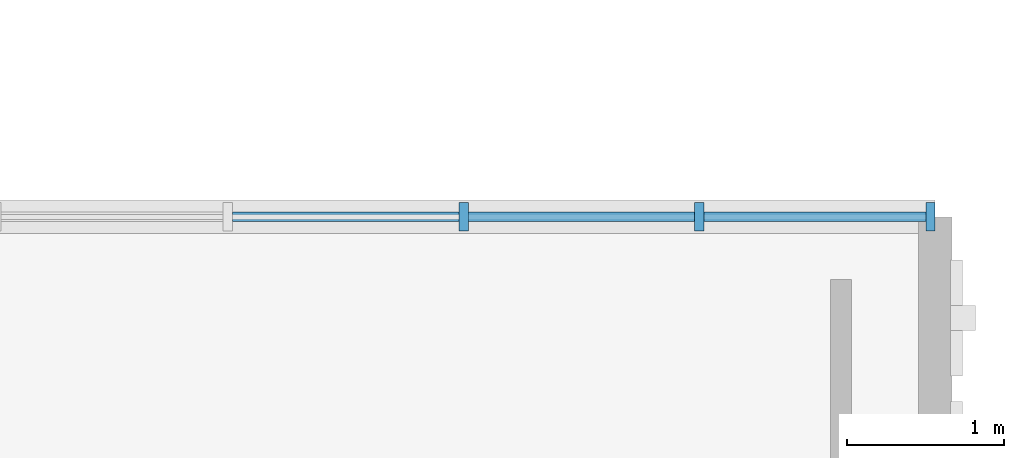
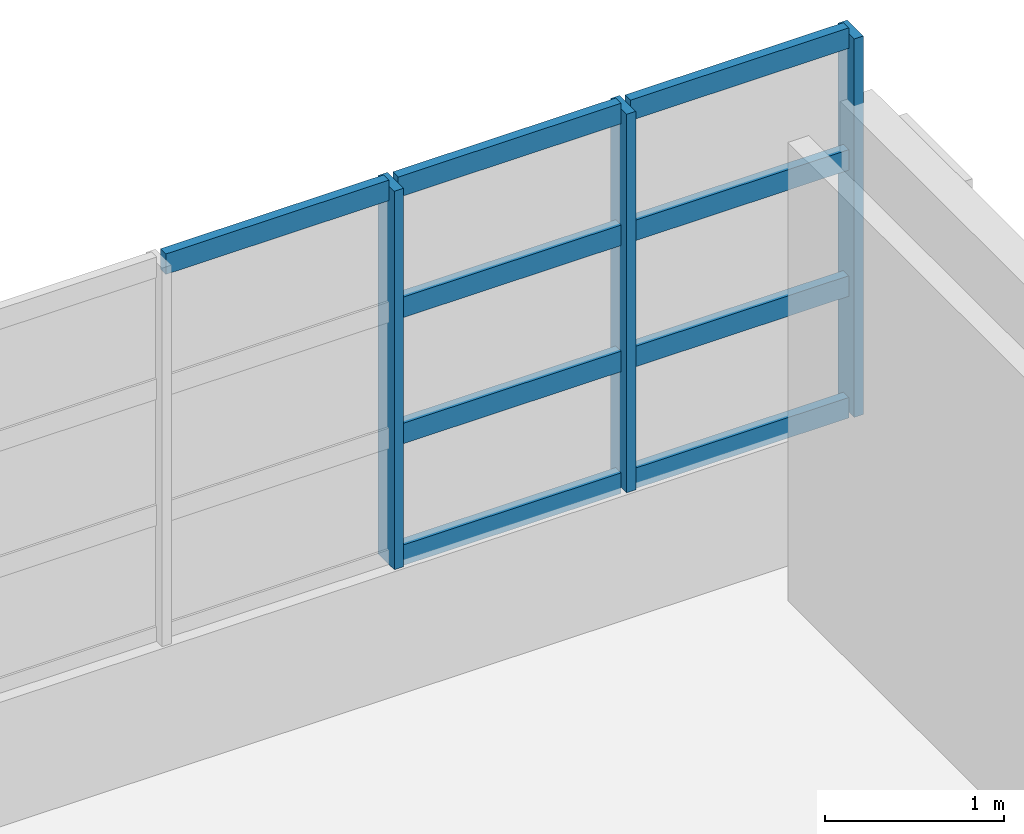
# One storey, part 19 of 46: 12 members, 1 element without a shape of its own.
"""IFC4 building model written with IfcOpenShell, lengths in metres."""

from ifc_helpers import new_model, si_unit, direction, frame, origin, origin_2d, place, context, subcontext, project, spatial, rectangle, extrude, material, material_profile, profile_set, type_object, element, aggregate, save


model = new_model("IFC4")

# Units and contexts
model_context = context("Model", 3, precision=1e-05, world=origin(), true_north=direction((0.0, 1.0)))
body_context = subcontext(model_context, "Body", "Model", "MODEL_VIEW")
ifc_project = project(units=[si_unit("LENGTHUNIT", "METRE"), si_unit("AREAUNIT", "SQUARE_METRE"), si_unit("VOLUMEUNIT", "CUBIC_METRE"), si_unit("PLANEANGLEUNIT", "RADIAN"), si_unit("MASSUNIT", "GRAM", prefix="KILO")], contexts=[model_context])

# Site, building, storey
site_placement = place(None, origin())
site = spatial("IfcSite", under=ifc_project, at=site_placement, CompositionType="ELEMENT")
building_placement = place(site_placement, origin())
building = spatial("IfcBuilding", under=site, at=building_placement, Name="Nzembalo Square Collegiate School", CompositionType="ELEMENT")
storey_placement = place(building_placement, frame((0.0, 0.0, 17.340087890625)))
storey = spatial("IfcBuildingStorey", under=building, at=storey_placement, Name="L04", CompositionType="ELEMENT", Elevation=17.340087890625)

# Curtain wall, members
ifc_material_1 = material(Name="Aluminium 6060-T66", Category="aluminium")
curtain_wall_type = type_object("IfcCurtainWallType", Name="CW-06", PredefinedType="USERDEFINED", material=ifc_material_1)
curtain_wall_placement = place(storey_placement, origin())
curtain_wall = element("IfcCurtainWall", 1, at=curtain_wall_placement, inside=storey, type_object=curtain_wall_type, Name="Curtain wall CW-06 cw:L04:141", ObjectType="LANCET", PredefinedType="USERDEFINED")
ifc_material_2 = material(Name="Aluminium 6060-T66", Category="aluminium")
ifc_material_profile_1 = material_profile(ifc_material_2, rectangle(XDim=0.06005859375, YDim=0.179931640625, at=origin_2d()), Name="ALU M60x180")
ifc_profile_set_1 = profile_set([ifc_material_profile_1], Name="Aluminium 6060-T66")
member_type_1 = type_object("IfcMemberType", Name="ML01", PredefinedType="MULLION", material=ifc_profile_set_1)
member_1_placement = place(storey_placement, frame((162.60009765625, 88.800048828125, 0.849853515625), z_axis=(0.0, 0.0, 1.0), x_axis=(1.0, 0.0, 0.0)))
member_1 = element("IfcMember", 2, at=member_1_placement, type_object=member_type_1, Name="ML01 mullion 3", PredefinedType="MULLION", context=body_context, shape_type="SweptSolid", body=[
    extrude(rectangle(XDim=0.06005859375, YDim=0.179931640625, at=origin_2d()), origin(), (0.0, 0.0, 1.0), 2.583984375),
])
member_2_placement = place(storey_placement, frame((164.10009765625, 88.800048828125, 0.849853515625), z_axis=(0.0, 0.0, 1.0), x_axis=(1.0, 0.0, 0.0)))
member_2 = element("IfcMember", 3, at=member_2_placement, type_object=member_type_1, Name="ML01 mullion 4", PredefinedType="MULLION", context=body_context, shape_type="SweptSolid", body=[
    extrude(rectangle(XDim=0.06005859375, YDim=0.179931640625, at=origin_2d()), origin(), (0.0, 0.0, 1.0), 2.583984375),
])
member_3_placement = place(storey_placement, frame((165.570068359375, 88.800048828125, 0.849853515625), z_axis=(0.0, 0.0, 1.0), x_axis=(1.0, 0.0, 0.0)))
member_3 = element("IfcMember", 4, at=member_3_placement, type_object=member_type_1, Name="ML01 mullion 5", PredefinedType="MULLION", context=body_context, shape_type="SweptSolid", body=[
    extrude(rectangle(XDim=0.06005859375, YDim=0.179931640625, at=origin_2d()), origin(), (0.0, 0.0, 1.0), 2.583984375),
])
ifc_material_3 = material(Name="Aluminium 6060-T66", Category="aluminium")
ifc_material_profile_2 = material_profile(ifc_material_3, rectangle(XDim=0.06005859375, YDim=0.139892578125, at=origin_2d()), Name="ALU T60x140")
ifc_profile_set_2 = profile_set([ifc_material_profile_2], Name="Aluminium 6060-T66")
member_type_2 = type_object("IfcMemberType", Name="TR01", PredefinedType="USERDEFINED", material=ifc_profile_set_2)
member_4_placement = place(storey_placement, frame((162.6298828125, 88.800048828125, 0.8798828125), z_axis=(1.0, 0.0, 0.0), x_axis=(0.0, 1.0, 0.0)))
member_4 = element("IfcMember", 5, at=member_4_placement, type_object=member_type_2, Name="TR01 transom 1-3", ObjectType="TRANSOM", PredefinedType="USERDEFINED", context=body_context, shape_type="SweptSolid", body=[
    extrude(rectangle(XDim=0.06005859375, YDim=0.139892578125, at=origin_2d()), origin(), (0.0, 0.0, 1.0), 1.440185546875),
])
member_5_placement = place(storey_placement, frame((164.1298828125, 88.800048828125, 0.8798828125), z_axis=(1.0, 0.0, 0.0), x_axis=(0.0, 1.0, 0.0)))
member_5 = element("IfcMember", 6, at=member_5_placement, type_object=member_type_2, Name="TR01 transom 1-4", ObjectType="TRANSOM", PredefinedType="USERDEFINED", context=body_context, shape_type="SweptSolid", body=[
    extrude(rectangle(XDim=0.06005859375, YDim=0.139892578125, at=origin_2d()), origin(), (0.0, 0.0, 1.0), 1.41015625),
])
member_6_placement = place(storey_placement, frame((162.6298828125, 88.800048828125, 1.711181640625), z_axis=(1.0, 0.0, 0.0), x_axis=(0.0, 1.0, 0.0)))
member_6 = element("IfcMember", 7, at=member_6_placement, type_object=member_type_2, Name="TR01 transom 2-3", ObjectType="TRANSOM", PredefinedType="USERDEFINED", context=body_context, shape_type="SweptSolid", body=[
    extrude(rectangle(XDim=0.06005859375, YDim=0.139892578125, at=origin_2d()), origin(), (0.0, 0.0, 1.0), 1.440185546875),
])
member_7_placement = place(storey_placement, frame((164.1298828125, 88.800048828125, 1.711181640625), z_axis=(1.0, 0.0, 0.0), x_axis=(0.0, 1.0, 0.0)))
member_7 = element("IfcMember", 8, at=member_7_placement, type_object=member_type_2, Name="TR01 transom 2-4", ObjectType="TRANSOM", PredefinedType="USERDEFINED", context=body_context, shape_type="SweptSolid", body=[
    extrude(rectangle(XDim=0.06005859375, YDim=0.139892578125, at=origin_2d()), origin(), (0.0, 0.0, 1.0), 1.41015625),
])
member_8_placement = place(storey_placement, frame((162.6298828125, 88.800048828125, 2.572509765625), z_axis=(1.0, 0.0, 0.0), x_axis=(0.0, 1.0, 0.0)))
member_8 = element("IfcMember", 9, at=member_8_placement, type_object=member_type_2, Name="TR01 transom 3-3", ObjectType="TRANSOM", PredefinedType="USERDEFINED", context=body_context, shape_type="SweptSolid", body=[
    extrude(rectangle(XDim=0.06005859375, YDim=0.139892578125, at=origin_2d()), origin(), (0.0, 0.0, 1.0), 1.440185546875),
])
member_9_placement = place(storey_placement, frame((164.1298828125, 88.800048828125, 2.572509765625), z_axis=(1.0, 0.0, 0.0), x_axis=(0.0, 1.0, 0.0)))
member_9 = element("IfcMember", 10, at=member_9_placement, type_object=member_type_2, Name="TR01 transom 3-4", ObjectType="TRANSOM", PredefinedType="USERDEFINED", context=body_context, shape_type="SweptSolid", body=[
    extrude(rectangle(XDim=0.06005859375, YDim=0.139892578125, at=origin_2d()), origin(), (0.0, 0.0, 1.0), 1.41015625),
])
member_10_placement = place(storey_placement, frame((161.1298828125, 88.800048828125, 3.40380859375), z_axis=(1.0, 0.0, 0.0), x_axis=(0.0, 1.0, 0.0)))
member_10 = element("IfcMember", 11, at=member_10_placement, type_object=member_type_2, Name="TR01 transom 4-2", ObjectType="TRANSOM", PredefinedType="USERDEFINED", context=body_context, shape_type="SweptSolid", body=[
    extrude(rectangle(XDim=0.06005859375, YDim=0.139892578125, at=origin_2d()), origin(), (0.0, 0.0, 1.0), 1.440185546875),
])
member_11_placement = place(storey_placement, frame((162.6298828125, 88.800048828125, 3.40380859375), z_axis=(1.0, 0.0, 0.0), x_axis=(0.0, 1.0, 0.0)))
member_11 = element("IfcMember", 12, at=member_11_placement, type_object=member_type_2, Name="TR01 transom 4-3", ObjectType="TRANSOM", PredefinedType="USERDEFINED", context=body_context, shape_type="SweptSolid", body=[
    extrude(rectangle(XDim=0.06005859375, YDim=0.139892578125, at=origin_2d()), origin(), (0.0, 0.0, 1.0), 1.440185546875),
])
member_12_placement = place(storey_placement, frame((164.1298828125, 88.800048828125, 3.40380859375), z_axis=(1.0, 0.0, 0.0), x_axis=(0.0, 1.0, 0.0)))
member_12 = element("IfcMember", 13, at=member_12_placement, type_object=member_type_2, Name="TR01 transom 4-4", ObjectType="TRANSOM", PredefinedType="USERDEFINED", context=body_context, shape_type="SweptSolid", body=[
    extrude(rectangle(XDim=0.06005859375, YDim=0.139892578125, at=origin_2d()), origin(), (0.0, 0.0, 1.0), 1.41015625),
])
aggregate(curtain_wall, [member_1, member_2, member_3, member_4, member_5, member_6, member_7, member_8, member_9, member_10, member_11, member_12])

save(model, "model.ifc")
